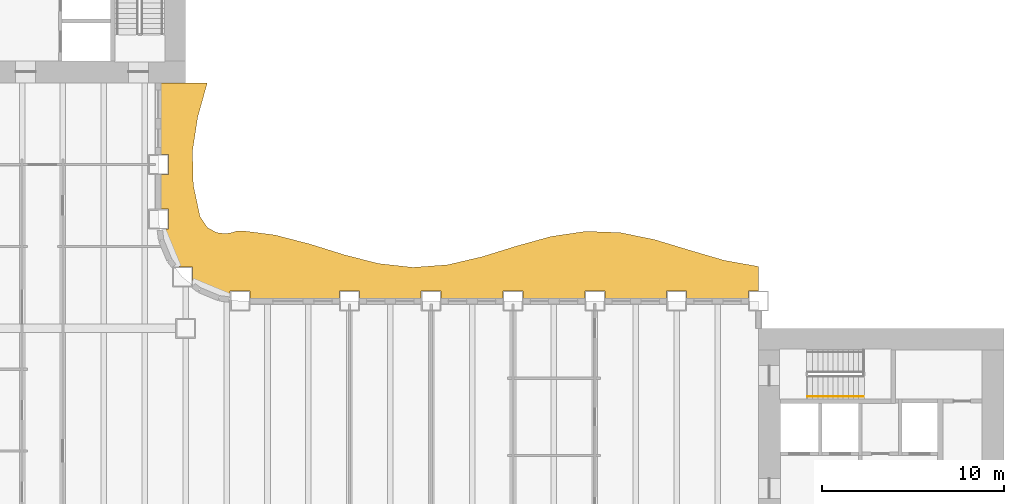
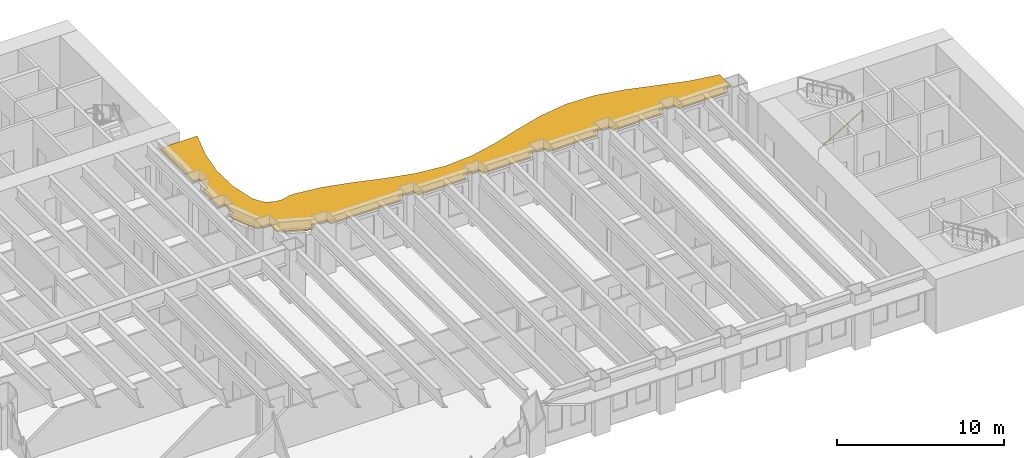
# One storey, part 13 of 15: 1 railing, 1 shading device.
"""IFC4 building model written with IfcOpenShell, lengths in metres."""

from ifc_helpers import new_model, si_unit, direction, frame, origin, origin_2d, place, context, subcontext, project, spatial, polyline, rectangle, outline, extrude, material, layer, layer_set, type_object, element, save


model = new_model("IFC4")

# Units and contexts
model_context = context("Model", 3, precision=1e-05, world=origin(), true_north=direction((0.0, 1.0)))
body_context = subcontext(model_context, "Body", "Model", "MODEL_VIEW")
ifc_project = project(units=[si_unit("LENGTHUNIT", "METRE"), si_unit("AREAUNIT", "SQUARE_METRE"), si_unit("VOLUMEUNIT", "CUBIC_METRE"), si_unit("PLANEANGLEUNIT", "RADIAN"), si_unit("MASSUNIT", "GRAM", prefix="KILO")], contexts=[model_context])

# Site, building, storey
site_placement = place(None, origin())
site = spatial("IfcSite", under=ifc_project, at=site_placement, CompositionType="ELEMENT")
building_placement = place(site_placement, origin())
building = spatial("IfcBuilding", under=site, at=building_placement, Name="Sennacour Bend Tower", CompositionType="ELEMENT")
storey_placement = place(building_placement, frame((0.0, 0.0, 65.0)))
storey = spatial("IfcBuildingStorey", under=building, at=storey_placement, Name="L14", CompositionType="ELEMENT", Elevation=65.0)

# Railing
ifc_material_1 = material(Name="Stainless steel", Category="steel")
railing_type = type_object("IfcRailingType", Name="RL-HANDRAIL-900", PredefinedType="HANDRAIL", material=ifc_material_1)
railing_placement = place(storey_placement, frame((56.699951171875, 18.75, 0.166748046875)))
element("IfcRailing", 1, at=railing_placement, inside=storey, type_object=railing_type, Name="L14 SA2 stair handrail 1", PredefinedType="HANDRAIL", context=body_context, shape_type="SweptSolid", body=[
    extrude(rectangle(XDim=0.048095703125, YDim=0.048095703125, at=origin_2d()), frame((0.0, 0.0, 0.8759765625), z_axis=(0.859308565015, 0.0, 0.511457515432), x_axis=(0.0, 1.0, 0.0)), (0.0, 0.0, 1.0), 3.58447265625),
    extrude(rectangle(XDim=0.0419921875, YDim=0.0419921875, at=origin_2d()), origin(), (0.0, 0.0, 1.0), 0.851806640625),
    extrude(rectangle(XDim=0.0419921875, YDim=0.0419921875, at=origin_2d()), frame((1.026611328125, 0.0, 0.611083984375)), (0.0, 0.0, 1.0), 0.851806640625),
    extrude(rectangle(XDim=0.0419921875, YDim=0.0419921875, at=origin_2d()), frame((2.053466796875, 0.0, 1.22216796875)), (0.0, 0.0, 1.0), 0.851806640625),
    extrude(rectangle(XDim=0.0419921875, YDim=0.0419921875, at=origin_2d()), frame((3.080078125, 0.0, 1.833251953125)), (0.0, 0.0, 1.0), 0.851806640625),
])

# Shading device
ifc_material_2 = material(Name="Bronze anodised aluminium", Category="aluminium")
ifc_layer = layer(ifc_material_2, 0.1201171875, Name="Bronze anodised aluminium", Category="aluminium")
ifc_layer_set = layer_set([ifc_layer], Name="Bronze anodised aluminium")
shading_device_type = type_object("IfcShadingDeviceType", Name="SUNSHADE BAND WAVE", PredefinedType="USERDEFINED", material=ifc_layer_set)
shading_device_placement = place(storey_placement, frame((0.0, 0.0, 3.02392578125)))
element("IfcShadingDevice", 2, at=shading_device_placement, inside=storey, type_object=shading_device_type, Name="Sunshade band L14 concave faces", ObjectType="SUNSHADE", PredefinedType="USERDEFINED", context=body_context, shape_type="SweptSolid", body=[
    extrude(outline(polyline([(53.449951171875, 24.14990234375), (50.050048828125, 24.14990234375), (50.050048828125, 24.550048828125), (48.949951171875, 24.550048828125), (48.949951171875, 24.14990234375), (45.550048828125, 24.14990234375), (45.550048828125, 24.550048828125), (44.449951171875, 24.550048828125), (44.449951171875, 24.14990234375), (41.050048828125, 24.14990234375), (41.050048828125, 24.550048828125), (39.949951171875, 24.550048828125), (39.949951171875, 24.14990234375), (36.550048828125, 24.14990234375), (36.550048828125, 24.550048828125), (35.449951171875, 24.550048828125), (35.449951171875, 24.14990234375), (32.050048828125, 24.14990234375), (32.050048828125, 24.550048828125), (30.949951171875, 24.550048828125), (30.949951171875, 24.14990234375), (26.050048828125, 24.14990234375), (26.050048828125, 24.550048828125), (24.949951171875, 24.550048828125), (24.949951171875, 24.2236328125), (24.37451171875, 24.299560546875), (23.32568359375, 24.73388671875), (22.8681640625, 25.0849609375), (22.8681640625, 25.8681640625), (22.0849609375, 25.8681640625), (21.73388671875, 26.32568359375), (21.299560546875, 27.37451171875), (21.2236328125, 27.949951171875), (21.550048828125, 27.949951171875), (21.550048828125, 29.050048828125), (21.14990234375, 29.050048828125), (21.14990234375, 30.949951171875), (21.550048828125, 30.949951171875), (21.550048828125, 32.050048828125), (21.14990234375, 32.050048828125), (21.14990234375, 36.0), (23.6884765625, 36.0), (23.1630859375, 34.125), (22.873779296875, 32.25), (22.920166015625, 30.375), (23.285888671875, 28.64990234375), (23.711181640625, 28.020751953125), (24.2197265625, 27.7607421875), (24.70458984375, 27.70458984375), (25.079833984375, 27.772216796875), (25.328125, 27.85888671875), (25.752197265625, 27.847900390625), (27.39990234375, 27.634033203125), (29.300048828125, 27.143798828125), (31.199951171875, 26.550048828125), (33.10009765625, 26.06201171875), (35.0, 25.851806640625), (36.89990234375, 25.99365234375), (38.800048828125, 26.4375), (40.699951171875, 27.02685546875), (42.60009765625, 27.5537109375), (44.5, 27.83251953125), (46.39990234375, 27.764892578125), (48.300048828125, 27.37451171875), (50.199951171875, 26.79931640625), (52.10009765625, 26.241943359375), (54.0, 25.89892578125), (54.0, 24.550048828125), (53.449951171875, 24.550048828125), (53.449951171875, 24.14990234375)])), origin(), (0.0, 0.0, 1.0), 0.1201171875),
])

save(model, "model.ifc")
